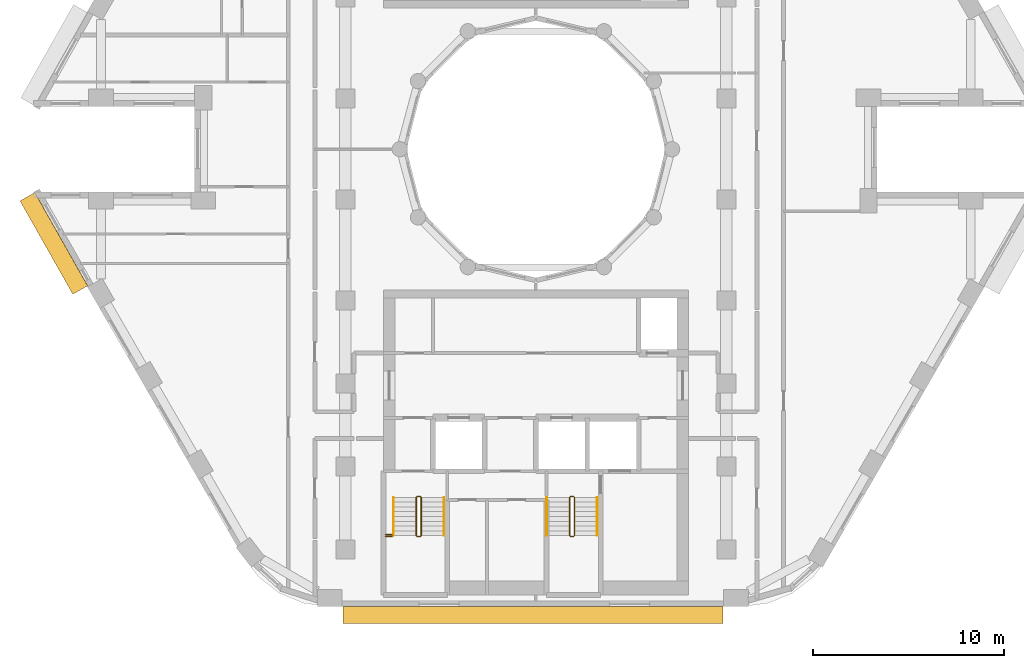
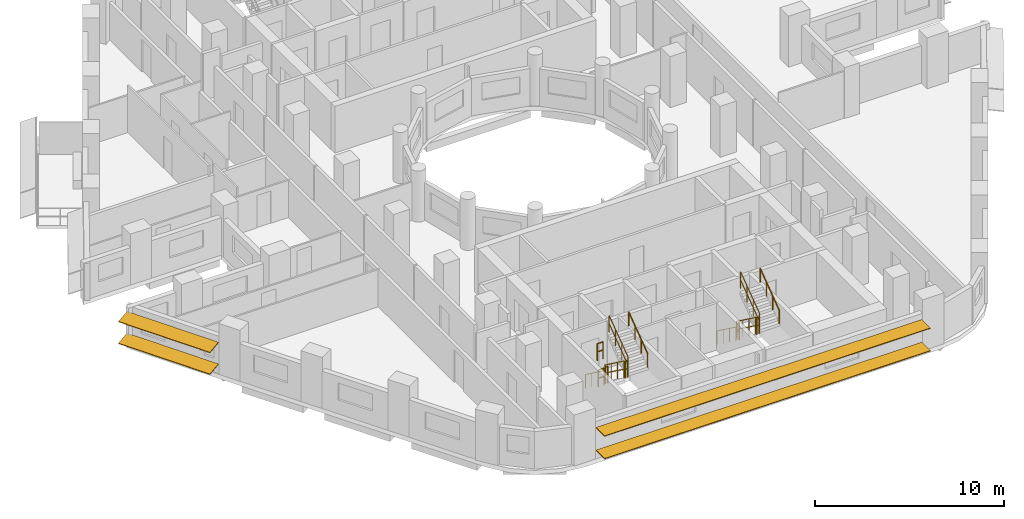
# One storey, part 11 of 13: 14 railings, 4 shading devices.
"""IFC4 building model written with IfcOpenShell, lengths in metres."""

from ifc_helpers import new_model, si_unit, direction, frame, origin, origin_2d, place, context, subcontext, project, spatial, rectangle, circle, extrude, material, material_profile, profile_set, type_object, element, save


model = new_model("IFC4")

# Units and contexts
model_context = context("Model", 3, precision=1e-05, world=origin(), true_north=direction((0.0, 1.0)))
body_context = subcontext(model_context, "Body", "Model", "MODEL_VIEW")
ifc_project = project(units=[si_unit("LENGTHUNIT", "METRE"), si_unit("AREAUNIT", "SQUARE_METRE"), si_unit("VOLUMEUNIT", "CUBIC_METRE"), si_unit("PLANEANGLEUNIT", "RADIAN"), si_unit("MASSUNIT", "GRAM", prefix="KILO")], contexts=[model_context])

# Site, building, storey
site_placement = place(None, origin())
site = spatial("IfcSite", under=ifc_project, at=site_placement, CompositionType="ELEMENT")
building_placement = place(site_placement, origin())
building = spatial("IfcBuilding", under=site, at=building_placement, Name="Nakaniwa Court", CompositionType="ELEMENT")
storey_placement = place(building_placement, frame((0.0, 0.0, 137.10009765625)))
storey = spatial("IfcBuildingStorey", under=building, at=storey_placement, Name="L35", CompositionType="ELEMENT", Elevation=137.10009765625)

# Shading devices
ifc_material_1 = material(Name="Perforated charcoal ceramic louvre blade")
ifc_material_profile = material_profile(ifc_material_1, rectangle(XDim=0.89990234375, YDim=0.050048828125, at=origin_2d()), Name="Perforated ceramic louvre blade")
ifc_profile_set = profile_set([ifc_material_profile], Name="Perforated charcoal ceramic louvre blade")
shading_device_type = type_object("IfcShadingDeviceType", Name="Perforated ceramic louvre blade", PredefinedType="JALOUSIE", material=ifc_profile_set)
for number, where, z_axis, x_axis, name in (
    (1, (53.31689453125, 77.5078125, 0.5498046875), (0.49253187421, -0.870294405869, 0.0), (0.862649339692, 0.488205247786, 0.132256390257), "L35 perforated ceramic louvre blade w20 1"),
    (2, (53.31689453125, 77.5078125, 1.95556640625), (0.49253187421, -0.870294405869, 0.0), (0.862649339692, 0.488205247786, 0.132256390257), "L35 perforated ceramic louvre blade w20 2"),
):
    element("IfcShadingDevice", number, at=place(storey_placement, frame(where, z_axis=z_axis, x_axis=x_axis)), inside=storey, type_object=shading_device_type, Name=name, PredefinedType="JALOUSIE", context=body_context, shape_type="SweptSolid", body=[
        extrude(rectangle(XDim=0.89990234375, YDim=0.050048828125, at=origin_2d()), origin(), (0.0, 0.0, 1.0), 5.62646484375),
    ])
for number, where, z_axis, x_axis, name in (
    (3, (69.871337890625, 55.550048828125, 0.5498046875), (1.0, 0.0, 0.0), (0.0, 1.0, 0.0), "L35 perforated ceramic louvre blade w26 1"),
    (4, (69.871337890625, 55.550048828125, 2.014892578125), (1.0, 0.0, 0.0), (0.0, 1.0, 0.0), "L35 perforated ceramic louvre blade w26 2"),
):
    element("IfcShadingDevice", number, at=place(storey_placement, frame(where, z_axis=z_axis, x_axis=x_axis)), inside=storey, type_object=shading_device_type, Name=name, PredefinedType="JALOUSIE", context=body_context, shape_type="SweptSolid", body=[
        extrude(rectangle(XDim=0.89990234375, YDim=0.050048828125, at=origin_2d()), origin(), (0.0, 0.0, 1.0), 19.939697265625),
    ])

# Railings
ifc_material_2 = material(Name="Black powder coated steel guard", Category="steel")
railing_type_1 = type_object("IfcRailingType", Name="Stair guard 1100", PredefinedType="GUARDRAIL", material=ifc_material_2)
railing_1_placement = place(storey_placement, frame((73.72509765625, 61.72509765625, 0.183349609375)))
element("IfcRailing", 5, at=railing_1_placement, inside=storey, type_object=railing_type_1, Name="L35 ST3 stair guard 1", PredefinedType="GUARDRAIL", context=body_context, shape_type="SweptSolid", body=[
    extrude(circle(Radius=0.02392578125, at=origin_2d()), frame((0.0, 0.0, 1.076171875), z_axis=(0.0, -0.806426902644, 0.591333789573), x_axis=(1.0, 0.0, 0.0)), (0.0, 0.0, 1.0), 2.47998046875),
    extrude(circle(Radius=0.02392578125, at=origin_2d()), frame((0.0, 0.0, 0.550048828125), z_axis=(0.0, -0.806426902644, 0.591333789573), x_axis=(1.0, 0.0, 0.0)), (0.0, 0.0, 1.0), 2.47998046875),
    extrude(circle(Radius=0.02099609375, at=origin_2d()), origin(), (0.0, 0.0, 1.0), 1.052001953125),
    extrude(circle(Radius=0.02099609375, at=origin_2d()), frame((0.0, -0.666748046875, 0.48876953125)), (0.0, 0.0, 1.0), 1.052001953125),
    extrude(circle(Radius=0.02099609375, at=origin_2d()), frame((0.0, -1.333251953125, 0.977783203125)), (0.0, 0.0, 1.0), 1.052001953125),
    extrude(circle(Radius=0.02099609375, at=origin_2d()), frame((0.0, -2.0, 1.466552734375)), (0.0, 0.0, 1.0), 1.052001953125),
])
railing_2_placement = place(storey_placement, frame((73.77490234375, 59.675048828125, 1.64990234375)))
element("IfcRailing", 6, at=railing_2_placement, inside=storey, type_object=railing_type_1, Name="L35 ST3 stair guard 2", PredefinedType="GUARDRAIL", context=body_context, shape_type="SweptSolid", body=[
    extrude(circle(Radius=0.02392578125, at=origin_2d()), frame((0.0, 0.0, 1.076171875), z_axis=(1.0, 0.0, 0.0), x_axis=(0.0, 1.0, 0.0)), (0.0, 0.0, 1.0), 0.150146484375),
    extrude(circle(Radius=0.02392578125, at=origin_2d()), frame((0.0, 0.0, 0.550048828125), z_axis=(1.0, 0.0, 0.0), x_axis=(0.0, 1.0, 0.0)), (0.0, 0.0, 1.0), 0.150146484375),
    extrude(circle(Radius=0.02099609375, at=origin_2d()), origin(), (0.0, 0.0, 1.0), 1.052001953125),
    extrude(circle(Radius=0.02099609375, at=origin_2d()), frame((0.150146484375, 0.0, 0.0)), (0.0, 0.0, 1.0), 1.052001953125),
])
railing_3_placement = place(storey_placement, frame((73.97509765625, 59.72509765625, 1.833251953125)))
element("IfcRailing", 7, at=railing_3_placement, inside=storey, type_object=railing_type_1, Name="L35 ST3 stair guard 3", PredefinedType="GUARDRAIL", context=body_context, shape_type="SweptSolid", body=[
    extrude(circle(Radius=0.02392578125, at=origin_2d()), frame((0.0, 0.0, 1.076171875), z_axis=(0.0, 0.806426902644, 0.591333789573), x_axis=(-1.0, 0.0, 0.0)), (0.0, 0.0, 1.0), 2.47998046875),
    extrude(circle(Radius=0.02392578125, at=origin_2d()), frame((0.0, 0.0, 0.550048828125), z_axis=(0.0, 0.806426902644, 0.591333789573), x_axis=(-1.0, 0.0, 0.0)), (0.0, 0.0, 1.0), 2.47998046875),
    extrude(circle(Radius=0.02099609375, at=origin_2d()), origin(), (0.0, 0.0, 1.0), 1.052001953125),
    extrude(circle(Radius=0.02099609375, at=origin_2d()), frame((0.0, 0.666748046875, 0.48876953125)), (0.0, 0.0, 1.0), 1.052001953125),
    extrude(circle(Radius=0.02099609375, at=origin_2d()), frame((0.0, 1.333251953125, 0.977783203125)), (0.0, 0.0, 1.0), 1.052001953125),
    extrude(circle(Radius=0.02099609375, at=origin_2d()), frame((0.0, 2.0, 1.466552734375)), (0.0, 0.0, 1.0), 1.052001953125),
])
railing_4_placement = place(storey_placement, frame((73.77490234375, 61.77490234375, 0.0)))
element("IfcRailing", 8, at=railing_4_placement, inside=storey, type_object=railing_type_1, Name="L35 ST3 stair guard 4", PredefinedType="GUARDRAIL", context=body_context, shape_type="SweptSolid", body=[
    extrude(circle(Radius=0.02392578125, at=origin_2d()), frame((0.0, 0.0, 1.076171875), z_axis=(1.0, 0.0, 0.0), x_axis=(0.0, 1.0, 0.0)), (0.0, 0.0, 1.0), 0.150146484375),
    extrude(circle(Radius=0.02392578125, at=origin_2d()), frame((0.0, 0.0, 0.550048828125), z_axis=(1.0, 0.0, 0.0), x_axis=(0.0, 1.0, 0.0)), (0.0, 0.0, 1.0), 0.150146484375),
    extrude(circle(Radius=0.02099609375, at=origin_2d()), origin(), (0.0, 0.0, 1.0), 1.052001953125),
    extrude(circle(Radius=0.02099609375, at=origin_2d()), frame((0.150146484375, 0.0, 0.0)), (0.0, 0.0, 1.0), 1.052001953125),
])
for number, where, name in (
    (9, (72.125, 59.675048828125, 1.64990234375), "L35 ST3 landing side guard 1W"),
    (10, (72.125, 59.77490234375, 3.2998046875), "L35 ST3 floor edge guard 1W"),
):
    element("IfcRailing", number, at=place(storey_placement, frame(where)), inside=storey, type_object=railing_type_1, Name=name, PredefinedType="GUARDRAIL", context=body_context, shape_type="SweptSolid", body=[
        extrude(circle(Radius=0.02392578125, at=origin_2d()), frame((0.0, 0.0, 1.076171875), z_axis=(1.0, 0.0, 0.0), x_axis=(0.0, 1.0, 0.0)), (0.0, 0.0, 1.0), 0.35009765625),
        extrude(circle(Radius=0.02392578125, at=origin_2d()), frame((0.0, 0.0, 0.550048828125), z_axis=(1.0, 0.0, 0.0), x_axis=(0.0, 1.0, 0.0)), (0.0, 0.0, 1.0), 0.35009765625),
        extrude(circle(Radius=0.02099609375, at=origin_2d()), origin(), (0.0, 0.0, 1.0), 1.052001953125),
        extrude(circle(Radius=0.02099609375, at=origin_2d()), frame((0.35009765625, 0.0, 0.0)), (0.0, 0.0, 1.0), 1.052001953125),
    ])
railing_5_placement = place(storey_placement, frame((81.77490234375, 61.72509765625, 0.183349609375)))
element("IfcRailing", 11, at=railing_5_placement, inside=storey, type_object=railing_type_1, Name="L35 ST4 stair guard 1", PredefinedType="GUARDRAIL", context=body_context, shape_type="SweptSolid", body=[
    extrude(circle(Radius=0.02392578125, at=origin_2d()), frame((0.0, 0.0, 1.076171875), z_axis=(0.0, -0.806426902644, 0.591333789573), x_axis=(1.0, 0.0, 0.0)), (0.0, 0.0, 1.0), 2.47998046875),
    extrude(circle(Radius=0.02392578125, at=origin_2d()), frame((0.0, 0.0, 0.550048828125), z_axis=(0.0, -0.806426902644, 0.591333789573), x_axis=(1.0, 0.0, 0.0)), (0.0, 0.0, 1.0), 2.47998046875),
    extrude(circle(Radius=0.02099609375, at=origin_2d()), origin(), (0.0, 0.0, 1.0), 1.052001953125),
    extrude(circle(Radius=0.02099609375, at=origin_2d()), frame((0.0, -0.666748046875, 0.48876953125)), (0.0, 0.0, 1.0), 1.052001953125),
    extrude(circle(Radius=0.02099609375, at=origin_2d()), frame((0.0, -1.333251953125, 0.977783203125)), (0.0, 0.0, 1.0), 1.052001953125),
    extrude(circle(Radius=0.02099609375, at=origin_2d()), frame((0.0, -2.0, 1.466552734375)), (0.0, 0.0, 1.0), 1.052001953125),
])
railing_6_placement = place(storey_placement, frame((81.824951171875, 59.675048828125, 1.64990234375)))
element("IfcRailing", 12, at=railing_6_placement, inside=storey, type_object=railing_type_1, Name="L35 ST4 stair guard 2", PredefinedType="GUARDRAIL", context=body_context, shape_type="SweptSolid", body=[
    extrude(circle(Radius=0.02392578125, at=origin_2d()), frame((0.0, 0.0, 1.076171875), z_axis=(1.0, 0.0, 0.0), x_axis=(0.0, 1.0, 0.0)), (0.0, 0.0, 1.0), 0.150146484375),
    extrude(circle(Radius=0.02392578125, at=origin_2d()), frame((0.0, 0.0, 0.550048828125), z_axis=(1.0, 0.0, 0.0), x_axis=(0.0, 1.0, 0.0)), (0.0, 0.0, 1.0), 0.150146484375),
    extrude(circle(Radius=0.02099609375, at=origin_2d()), origin(), (0.0, 0.0, 1.0), 1.052001953125),
    extrude(circle(Radius=0.02099609375, at=origin_2d()), frame((0.150146484375, 0.0, 0.0)), (0.0, 0.0, 1.0), 1.052001953125),
])
railing_7_placement = place(storey_placement, frame((82.02490234375, 59.72509765625, 1.833251953125)))
element("IfcRailing", 13, at=railing_7_placement, inside=storey, type_object=railing_type_1, Name="L35 ST4 stair guard 3", PredefinedType="GUARDRAIL", context=body_context, shape_type="SweptSolid", body=[
    extrude(circle(Radius=0.02392578125, at=origin_2d()), frame((0.0, 0.0, 1.076171875), z_axis=(0.0, 0.806426902644, 0.591333789573), x_axis=(-1.0, 0.0, 0.0)), (0.0, 0.0, 1.0), 2.47998046875),
    extrude(circle(Radius=0.02392578125, at=origin_2d()), frame((0.0, 0.0, 0.550048828125), z_axis=(0.0, 0.806426902644, 0.591333789573), x_axis=(-1.0, 0.0, 0.0)), (0.0, 0.0, 1.0), 2.47998046875),
    extrude(circle(Radius=0.02099609375, at=origin_2d()), origin(), (0.0, 0.0, 1.0), 1.052001953125),
    extrude(circle(Radius=0.02099609375, at=origin_2d()), frame((0.0, 0.666748046875, 0.48876953125)), (0.0, 0.0, 1.0), 1.052001953125),
    extrude(circle(Radius=0.02099609375, at=origin_2d()), frame((0.0, 1.333251953125, 0.977783203125)), (0.0, 0.0, 1.0), 1.052001953125),
    extrude(circle(Radius=0.02099609375, at=origin_2d()), frame((0.0, 2.0, 1.466552734375)), (0.0, 0.0, 1.0), 1.052001953125),
])
railing_8_placement = place(storey_placement, frame((81.824951171875, 61.77490234375, 0.0)))
element("IfcRailing", 14, at=railing_8_placement, inside=storey, type_object=railing_type_1, Name="L35 ST4 stair guard 4", PredefinedType="GUARDRAIL", context=body_context, shape_type="SweptSolid", body=[
    extrude(circle(Radius=0.02392578125, at=origin_2d()), frame((0.0, 0.0, 1.076171875), z_axis=(1.0, 0.0, 0.0), x_axis=(0.0, 1.0, 0.0)), (0.0, 0.0, 1.0), 0.150146484375),
    extrude(circle(Radius=0.02392578125, at=origin_2d()), frame((0.0, 0.0, 0.550048828125), z_axis=(1.0, 0.0, 0.0), x_axis=(0.0, 1.0, 0.0)), (0.0, 0.0, 1.0), 0.150146484375),
    extrude(circle(Radius=0.02099609375, at=origin_2d()), origin(), (0.0, 0.0, 1.0), 1.052001953125),
    extrude(circle(Radius=0.02099609375, at=origin_2d()), frame((0.150146484375, 0.0, 0.0)), (0.0, 0.0, 1.0), 1.052001953125),
])
ifc_material_3 = material(Name="Black powder coated steel handrail", Category="steel")
railing_type_2 = type_object("IfcRailingType", Name="Stair handrail 900", PredefinedType="HANDRAIL", material=ifc_material_3)
railing_9_placement = place(storey_placement, frame((72.52490234375, 61.72509765625, 0.183349609375)))
element("IfcRailing", 15, at=railing_9_placement, inside=storey, type_object=railing_type_2, Name="L35 ST3 stair handrail 1", PredefinedType="HANDRAIL", context=body_context, shape_type="SweptSolid", body=[
    extrude(circle(Radius=0.02392578125, at=origin_2d()), frame((0.0, 0.0, 0.8759765625), z_axis=(0.0, -0.806426902644, 0.591333789573), x_axis=(1.0, 0.0, 0.0)), (0.0, 0.0, 1.0), 2.47998046875),
    extrude(circle(Radius=0.02099609375, at=origin_2d()), origin(), (0.0, 0.0, 1.0), 0.851806640625),
    extrude(circle(Radius=0.02099609375, at=origin_2d()), frame((0.0, -0.666748046875, 0.48876953125)), (0.0, 0.0, 1.0), 0.851806640625),
    extrude(circle(Radius=0.02099609375, at=origin_2d()), frame((0.0, -1.333251953125, 0.977783203125)), (0.0, 0.0, 1.0), 0.851806640625),
    extrude(circle(Radius=0.02099609375, at=origin_2d()), frame((0.0, -2.0, 1.466552734375)), (0.0, 0.0, 1.0), 0.851806640625),
])
railing_10_placement = place(storey_placement, frame((75.175048828125, 59.72509765625, 1.833251953125)))
element("IfcRailing", 16, at=railing_10_placement, inside=storey, type_object=railing_type_2, Name="L35 ST3 stair handrail 2", PredefinedType="HANDRAIL", context=body_context, shape_type="SweptSolid", body=[
    extrude(circle(Radius=0.02392578125, at=origin_2d()), frame((0.0, 0.0, 0.8759765625), z_axis=(0.0, 0.806426902644, 0.591333789573), x_axis=(-1.0, 0.0, 0.0)), (0.0, 0.0, 1.0), 2.47998046875),
    extrude(circle(Radius=0.02099609375, at=origin_2d()), origin(), (0.0, 0.0, 1.0), 0.851806640625),
    extrude(circle(Radius=0.02099609375, at=origin_2d()), frame((0.0, 0.666748046875, 0.48876953125)), (0.0, 0.0, 1.0), 0.851806640625),
    extrude(circle(Radius=0.02099609375, at=origin_2d()), frame((0.0, 1.333251953125, 0.977783203125)), (0.0, 0.0, 1.0), 0.851806640625),
    extrude(circle(Radius=0.02099609375, at=origin_2d()), frame((0.0, 2.0, 1.466552734375)), (0.0, 0.0, 1.0), 0.851806640625),
])
railing_11_placement = place(storey_placement, frame((80.574951171875, 61.72509765625, 0.183349609375)))
element("IfcRailing", 17, at=railing_11_placement, inside=storey, type_object=railing_type_2, Name="L35 ST4 stair handrail 1", PredefinedType="HANDRAIL", context=body_context, shape_type="SweptSolid", body=[
    extrude(circle(Radius=0.02392578125, at=origin_2d()), frame((0.0, 0.0, 0.8759765625), z_axis=(0.0, -0.806426902644, 0.591333789573), x_axis=(1.0, 0.0, 0.0)), (0.0, 0.0, 1.0), 2.47998046875),
    extrude(circle(Radius=0.02099609375, at=origin_2d()), origin(), (0.0, 0.0, 1.0), 0.851806640625),
    extrude(circle(Radius=0.02099609375, at=origin_2d()), frame((0.0, -0.666748046875, 0.48876953125)), (0.0, 0.0, 1.0), 0.851806640625),
    extrude(circle(Radius=0.02099609375, at=origin_2d()), frame((0.0, -1.333251953125, 0.977783203125)), (0.0, 0.0, 1.0), 0.851806640625),
    extrude(circle(Radius=0.02099609375, at=origin_2d()), frame((0.0, -2.0, 1.466552734375)), (0.0, 0.0, 1.0), 0.851806640625),
])
railing_12_placement = place(storey_placement, frame((83.22509765625, 59.72509765625, 1.833251953125)))
element("IfcRailing", 18, at=railing_12_placement, inside=storey, type_object=railing_type_2, Name="L35 ST4 stair handrail 2", PredefinedType="HANDRAIL", context=body_context, shape_type="SweptSolid", body=[
    extrude(circle(Radius=0.02392578125, at=origin_2d()), frame((0.0, 0.0, 0.8759765625), z_axis=(0.0, 0.806426902644, 0.591333789573), x_axis=(-1.0, 0.0, 0.0)), (0.0, 0.0, 1.0), 2.47998046875),
    extrude(circle(Radius=0.02099609375, at=origin_2d()), origin(), (0.0, 0.0, 1.0), 0.851806640625),
    extrude(circle(Radius=0.02099609375, at=origin_2d()), frame((0.0, 0.666748046875, 0.48876953125)), (0.0, 0.0, 1.0), 0.851806640625),
    extrude(circle(Radius=0.02099609375, at=origin_2d()), frame((0.0, 1.333251953125, 0.977783203125)), (0.0, 0.0, 1.0), 0.851806640625),
    extrude(circle(Radius=0.02099609375, at=origin_2d()), frame((0.0, 2.0, 1.466552734375)), (0.0, 0.0, 1.0), 0.851806640625),
])

save(model, "model.ifc")
